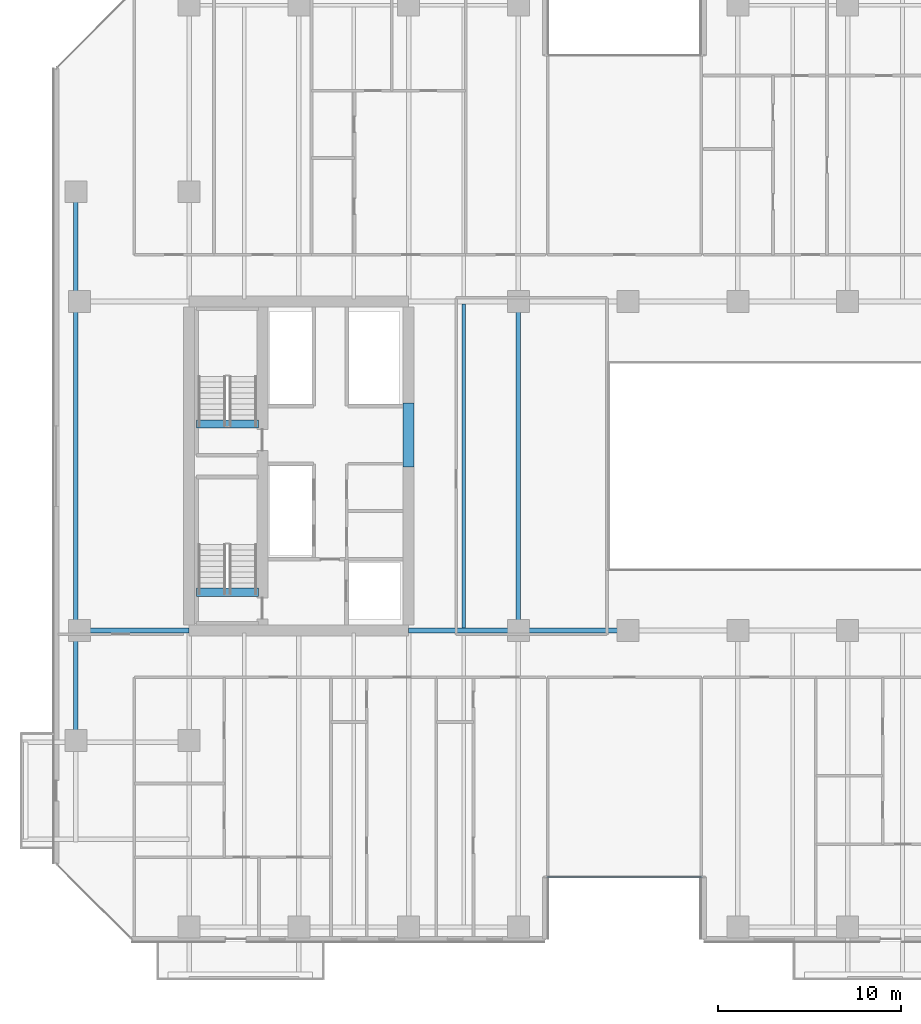
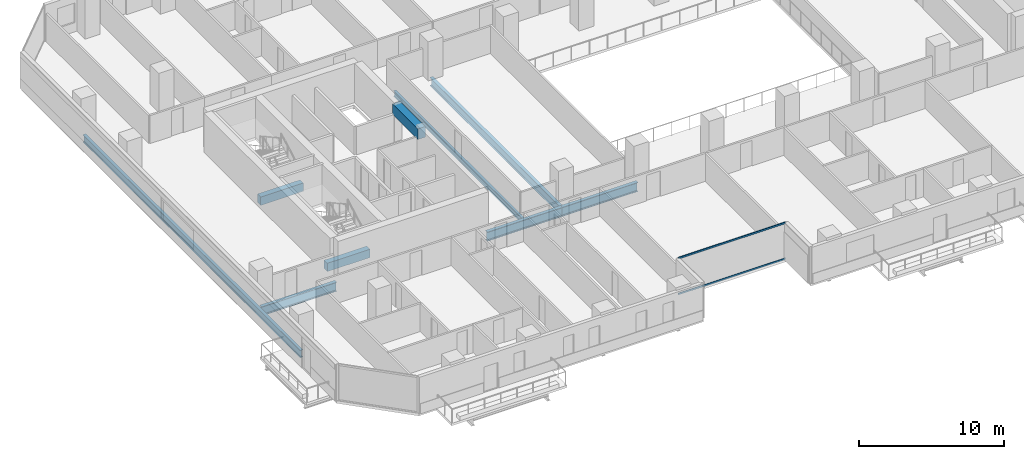
# One storey, part 5 of 33: 9 beams, 2 members, 1 element without a shape of its own.
"""IFC4 building model written with IfcOpenShell, lengths in metres."""

from ifc_helpers import new_model, si_unit, direction, frame, origin, origin_2d, place, context, subcontext, project, spatial, rectangle, hollow_rectangle, i_section, extrude, material, layer, layer_set, material_profile, profile_set, type_object, element, aggregate, save


model = new_model("IFC4")

# Units and contexts
model_context = context("Model", 3, precision=1e-05, world=origin(), true_north=direction((0.0, 1.0)))
body_context = subcontext(model_context, "Body", "Model", "MODEL_VIEW")
ifc_project = project(units=[si_unit("LENGTHUNIT", "METRE"), si_unit("AREAUNIT", "SQUARE_METRE"), si_unit("VOLUMEUNIT", "CUBIC_METRE"), si_unit("PLANEANGLEUNIT", "RADIAN"), si_unit("MASSUNIT", "GRAM", prefix="KILO")], contexts=[model_context])

# Site, building, storey
site_placement = place(None, origin())
site = spatial("IfcSite", under=ifc_project, at=site_placement, CompositionType="ELEMENT")
building_placement = place(site_placement, origin())
building = spatial("IfcBuilding", under=site, at=building_placement, Name="Tanjung Sevakor Pilgrim Tower", CompositionType="ELEMENT")
storey_placement = place(building_placement, frame((0.0, 0.0, 38.93994140625)))
storey = spatial("IfcBuildingStorey", under=building, at=storey_placement, Name="L10", CompositionType="ELEMENT", Elevation=38.93994140625)

# Beams
ifc_material_1 = material(Name="Steel S355J2", Category="steel")
ifc_material_profile_1 = material_profile(ifc_material_1, i_section(OverallWidth=0.26806640625, OverallDepth=0.769775390625, WebThickness=0.015625, FlangeThickness=0.025390625, FilletRadius=0.0166015625, at=origin_2d()))
ifc_profile_set_1 = profile_set([ifc_material_profile_1], Name="Steel S355J2")
beam_type_1 = type_object("IfcBeamType", Name="BM-B-G1-UB_762x267x197", PredefinedType="BEAM", material=ifc_profile_set_1)
for number, where, z_axis, x_axis, name in (
    (1, (18.0, 24.60009765625, -0.604736328125), (1.0, 0.0, 0.0), (0.0, 1.0, 0.0), "L10 Primary Floor Girder MAIN Y246-01"),
    (2, (36.0, 24.60009765625, -0.604736328125), (1.0, 0.0, 0.0), (0.0, 1.0, 0.0), "L10 Primary Floor Girder MAIN Y246-02"),
    (3, (42.0, 24.60009765625, -0.604736328125), (1.0, 0.0, 0.0), (0.0, 1.0, 0.0), "L10 Primary Floor Girder MAIN Y246-03"),
):
    element("IfcBeam", number, at=place(storey_placement, frame(where, z_axis=z_axis, x_axis=x_axis)), inside=storey, type_object=beam_type_1, Name=name, PredefinedType="BEAM", context=body_context, shape_type="SweptSolid", body=[
        extrude(i_section(OverallWidth=0.26806640625, OverallDepth=0.769775390625, WebThickness=0.015625, FlangeThickness=0.025390625, FilletRadius=0.0166015625, at=origin_2d()), origin(), (0.0, 0.0, 1.0), 6.0),
    ])
ifc_material_2 = material(Name="Steel S355J2", Category="steel")
ifc_material_profile_2 = material_profile(ifc_material_2, i_section(OverallWidth=0.25439453125, OverallDepth=0.6875, WebThickness=0.01318359375, FlangeThickness=0.02099609375, FilletRadius=0.01513671875, at=origin_2d()))
ifc_profile_set_2 = profile_set([ifc_material_profile_2], Name="Steel S355J2")
beam_type_2 = type_object("IfcBeamType", Name="BM-B-G2-UB_686x254x152", PredefinedType="BEAM", material=ifc_profile_set_2)
beam_1_placement = place(storey_placement, frame((42.0, 24.60009765625, -0.563720703125), z_axis=(0.0, 1.0, 0.0), x_axis=(-1.0, 0.0, 0.0)))
element("IfcBeam", 4, at=beam_1_placement, inside=storey, type_object=beam_type_2, Name="L10 MAIN Girder 011", PredefinedType="BEAM", context=body_context, shape_type="SweptSolid", body=[
    extrude(i_section(OverallWidth=0.25439453125, OverallDepth=0.6875, WebThickness=0.01318359375, FlangeThickness=0.02099609375, FilletRadius=0.01513671875, at=origin_2d()), origin(), (0.0, 0.0, 1.0), 18.0),
])
ifc_material_3 = material(Name="Steel S355J2", Category="steel")
ifc_material_profile_3 = material_profile(ifc_material_3, i_section(OverallWidth=0.22900390625, OverallDepth=0.6123046875, WebThickness=0.011962890625, FlangeThickness=0.01953125, FilletRadius=0.0126953125, at=origin_2d()))
ifc_profile_set_3 = profile_set([ifc_material_profile_3], Name="Steel S355J2")
beam_type_3 = type_object("IfcBeamType", Name="BM-B-G4-UB_610x229x125", PredefinedType="BEAM", material=ifc_profile_set_3)
beam_2_placement = place(storey_placement, frame((17.800048828125, 18.60009765625, -0.526123046875), z_axis=(0.0, 1.0, 0.0), x_axis=(-1.0, 0.0, 0.0)))
element("IfcBeam", 5, at=beam_2_placement, inside=storey, type_object=beam_type_3, Name="L10 Short-End Edge Girder W", PredefinedType="BEAM", context=body_context, shape_type="SweptSolid", body=[
    extrude(i_section(OverallWidth=0.22900390625, OverallDepth=0.6123046875, WebThickness=0.011962890625, FlangeThickness=0.01953125, FilletRadius=0.0126953125, at=origin_2d()), origin(), (0.0, 0.0, 1.0), 30.0),
])
ifc_material_4 = material(Name="Steel S355J2", Category="steel")
ifc_material_profile_4 = material_profile(ifc_material_4, i_section(OverallWidth=0.19140625, OverallDepth=0.4599609375, WebThickness=0.010009765625, FlangeThickness=0.01611328125, FilletRadius=0.01025390625, at=origin_2d()))
ifc_profile_set_4 = profile_set([ifc_material_profile_4], Name="Steel S355J2")
beam_type_4 = type_object("IfcBeamType", Name="BM-B-J2-UB_457x191x82", PredefinedType="JOIST", material=ifc_profile_set_4)
beam_3_placement = place(storey_placement, frame((39.0, 24.73388671875, -0.449951171875), z_axis=(0.0, 1.0, 0.0), x_axis=(-1.0, 0.0, 0.0)))
element("IfcBeam", 6, at=beam_3_placement, inside=storey, type_object=beam_type_4, Name="L10 MAIN Joist 008", PredefinedType="JOIST", context=body_context, shape_type="SweptSolid", body=[
    extrude(i_section(OverallWidth=0.19140625, OverallDepth=0.4599609375, WebThickness=0.010009765625, FlangeThickness=0.01611328125, FilletRadius=0.01025390625, at=origin_2d()), origin(), (0.0, 0.0, 1.0), 17.732177734375),
])
ifc_material_5 = material(Name="Concrete C60/75", Category="concrete")
ifc_material_profile_5 = material_profile(ifc_material_5, rectangle(XDim=0.60009765625, YDim=0.89990234375, at=origin_2d()))
ifc_profile_set_5 = profile_set([ifc_material_profile_5], Name="Concrete C60/75")
beam_type_5 = type_object("IfcBeamType", Name="BM-B-LN1-RC-BM_600x900", PredefinedType="LINTEL", material=ifc_profile_set_5)
beam_4_placement = place(storey_placement, frame((36.0, 33.550048828125, 2.630126953125), z_axis=(0.0, 1.0, 0.0), x_axis=(-1.0, 0.0, 0.0)))
element("IfcBeam", 7, at=beam_4_placement, inside=storey, type_object=beam_type_5, Name="L10 W Core Coupling Lintel", PredefinedType="LINTEL", context=body_context, shape_type="SweptSolid", body=[
    extrude(rectangle(XDim=0.60009765625, YDim=0.89990234375, at=origin_2d()), origin(), (0.0, 0.0, 1.0), 3.5),
])
ifc_material_6 = material(Name="Concrete C60/75", Category="concrete")
ifc_material_profile_6 = material_profile(ifc_material_6, rectangle(XDim=0.449951171875, YDim=0.699951171875, at=origin_2d()))
ifc_profile_set_6 = profile_set([ifc_material_profile_6], Name="Concrete C60/75")
beam_type_6 = type_object("IfcBeamType", Name="BM-B-LN3-RC-BM_450x700", PredefinedType="LINTEL", material=ifc_profile_set_6)
for number, where, z_axis, x_axis, name in (
    (8, (24.39990234375, 26.699951171875, -0.349853515625), (1.0, 0.0, 0.0), (0.0, 1.0, 0.0), "L10 TS-W1 Stair Threshold Beam"),
    (9, (24.39990234375, 35.89990234375, -0.349853515625), (1.0, 0.0, 0.0), (0.0, 1.0, 0.0), "L10 TS-W2 Stair Threshold Beam"),
):
    element("IfcBeam", number, at=place(storey_placement, frame(where, z_axis=z_axis, x_axis=x_axis)), inside=storey, type_object=beam_type_6, Name=name, PredefinedType="LINTEL", context=body_context, shape_type="SweptSolid", body=[
        extrude(rectangle(XDim=0.449951171875, YDim=0.699951171875, at=origin_2d()), origin(), (0.0, 0.0, 1.0), 3.400146484375),
    ])

# Curtain wall, members
ifc_material_7 = material(Name="Aluminium 6063-T6 and Low-E Glass", Category="aluminium")
ifc_layer = layer(ifc_material_7, 0.179931640625)
ifc_layer_set = layer_set([ifc_layer], Name="CW-SYS-CLEFT")
curtain_wall_type = type_object("IfcCurtainWallType", Name="CW-SYS-CLEFT", PredefinedType="NOTDEFINED", material=ifc_layer_set)
curtain_wall_placement = place(storey_placement, origin())
curtain_wall = element("IfcCurtainWall", 10, at=curtain_wall_placement, inside=storey, type_object=curtain_wall_type, Name="L10 Curtain Wall CW-CLF-L10-2", PredefinedType="NOTDEFINED")
ifc_material_8 = material(Name="Aluminium 6063-T6", Category="aluminium")
ifc_material_profile_7 = material_profile(ifc_material_8, hollow_rectangle(XDim=0.06494140625, YDim=0.139892578125, WallThickness=0.00390625, at=origin_2d()))
ifc_profile_set_7 = profile_set([ifc_material_profile_7], Name="Aluminium 6063-T6")
member_type = type_object("IfcMemberType", Name="TYPE-CWT-1", PredefinedType="USERDEFINED", material=ifc_profile_set_7)
member_1_placement = place(storey_placement, frame((43.534912109375, 11.139892578125, 0.032470703125), z_axis=(1.0, 0.0, 0.0), x_axis=(0.0, 1.0, 0.0)))
member_1 = element("IfcMember", 11, at=member_1_placement, type_object=member_type, Name="CW-CLF transom 1.1", ObjectType="TRANSOM", PredefinedType="USERDEFINED", context=body_context, shape_type="SweptSolid", body=[
    extrude(hollow_rectangle(XDim=0.06494140625, YDim=0.139892578125, WallThickness=0.00390625, at=origin_2d()), origin(), (0.0, 0.0, 1.0), 8.530029296875),
])
member_2_placement = place(storey_placement, frame((43.534912109375, 11.139892578125, 3.047607421875), z_axis=(1.0, 0.0, 0.0), x_axis=(0.0, 1.0, 0.0)))
member_2 = element("IfcMember", 12, at=member_2_placement, type_object=member_type, Name="CW-CLF transom 1.2", ObjectType="TRANSOM", PredefinedType="USERDEFINED", context=body_context, shape_type="SweptSolid", body=[
    extrude(hollow_rectangle(XDim=0.06494140625, YDim=0.139892578125, WallThickness=0.00390625, at=origin_2d()), origin(), (0.0, 0.0, 1.0), 8.530029296875),
])
aggregate(curtain_wall, [member_1, member_2])

save(model, "model.ifc")
